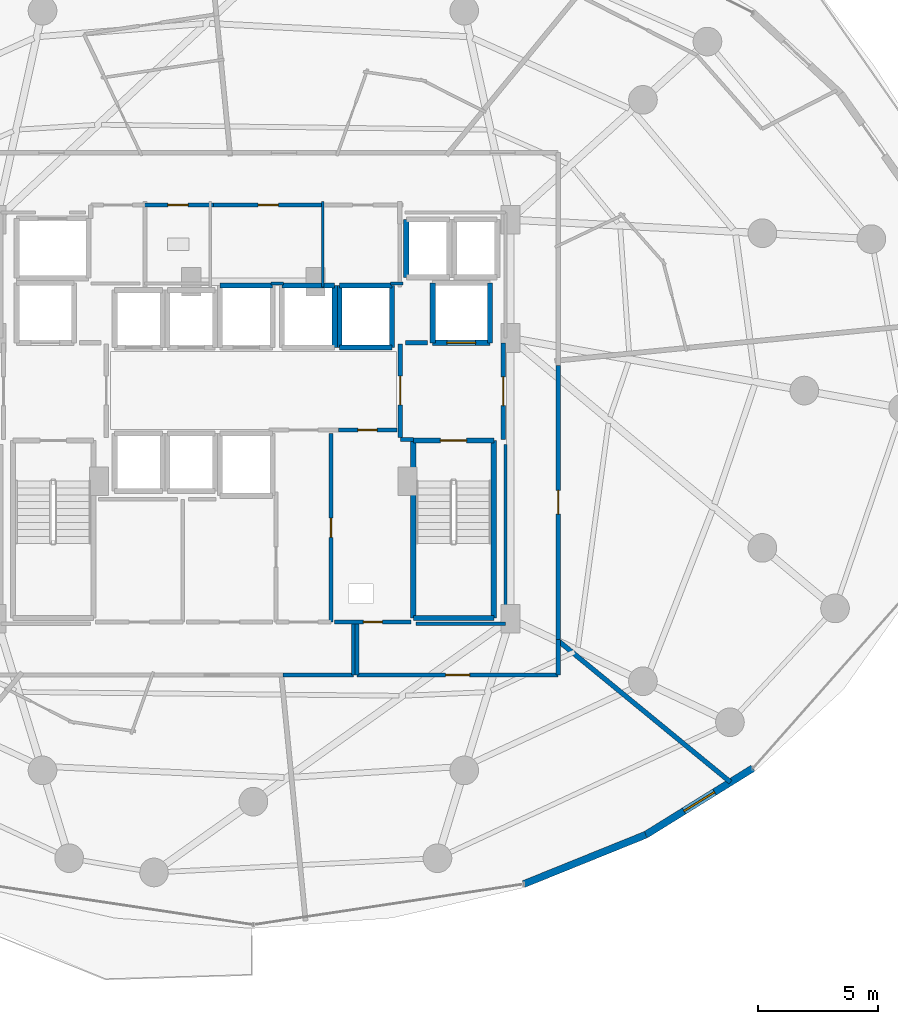
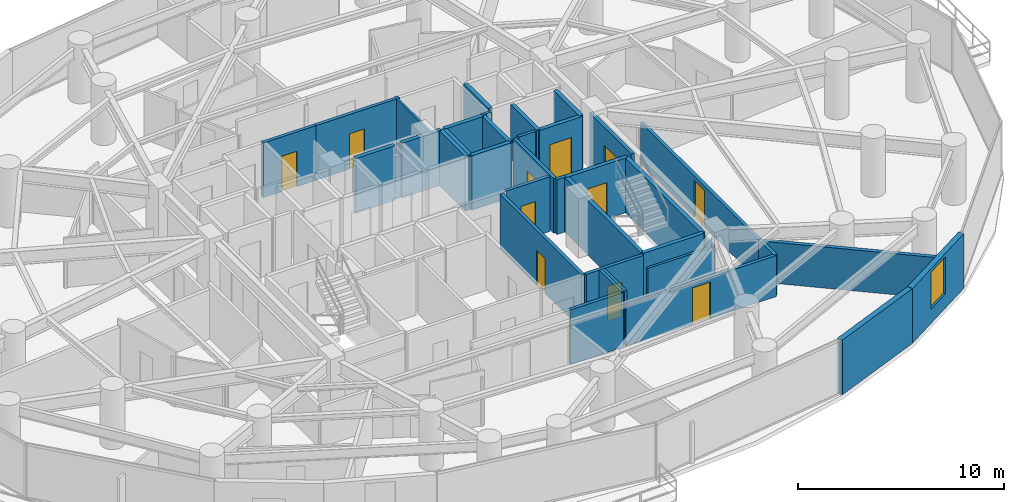
# One storey, part 25 of 30: 38 walls, 11 doors, 1 window, 12 openings.
"""IFC4 building model written with IfcOpenShell, lengths in metres."""

from ifc_helpers import new_model, si_unit, direction, frame, frame_2d, origin, place, context, subcontext, project, spatial, rectangle, extrude, material, layer, layer_set, type_object, element, fill, save


model = new_model("IFC4")

# Units and contexts
model_context = context("Model", 3, precision=1e-05, world=origin(), true_north=direction((0.0, 1.0)))
body_context = subcontext(model_context, "Body", "Model", "MODEL_VIEW")
ifc_project = project(units=[si_unit("LENGTHUNIT", "METRE"), si_unit("AREAUNIT", "SQUARE_METRE"), si_unit("VOLUMEUNIT", "CUBIC_METRE"), si_unit("PLANEANGLEUNIT", "RADIAN"), si_unit("MASSUNIT", "GRAM", prefix="KILO")], contexts=[model_context])

# Site, building, storey
site_placement = place(None, origin())
site = spatial("IfcSite", under=ifc_project, at=site_placement, CompositionType="ELEMENT")
building_placement = place(site_placement, origin())
building = spatial("IfcBuilding", under=site, at=building_placement, Name="Vorneva Point Tower", CompositionType="ELEMENT")
storey_placement = place(building_placement, frame((0.0, 0.0, 55.5)))
storey = spatial("IfcBuildingStorey", under=building, at=storey_placement, Name="L14", CompositionType="ELEMENT", Elevation=55.5)

# Wall, opening, door
ifc_material_1 = material(Name="Concrete B60 (C50/60)", Category="concrete")
ifc_layer_1 = layer(ifc_material_1, 0.5)
ifc_layer_set_1 = layer_set([ifc_layer_1], Name="Concrete B60 (C50/60)")
wall_type_1 = type_object("IfcWallType", Name="WL-CORE-500", PredefinedType="SHEAR", material=ifc_layer_set_1)
wall_1_placement = place(storey_placement, frame((45.5, 28.0, 0.0), z_axis=(0.0, 0.0, 1.0), x_axis=(1.0, 0.0, 0.0)))
wall_1 = element("IfcWall", 1, at=wall_1_placement, inside=storey, type_object=wall_type_1, Name="L14 Lift FFL2 Shaft Wall -Y", PredefinedType="SHEAR", context=body_context, shape_type="SweptSolid", body=[
    extrude(rectangle(XDim=2.39990234375, YDim=0.219970703125, at=frame_2d((1.199951171875, 0.0))), origin(), (0.0, 0.0, 1.0), 3.239990234375),
])
opening_1_placement = place(wall_1_placement, frame((0.60009765625, 0.0, 0.0)))
opening_1 = element("IfcOpeningElement", 2, at=opening_1_placement, cuts=wall_1, Name="Opening LD-02", PredefinedType="OPENING", context=body_context, shape_type="SweptSolid", body=[
    extrude(rectangle(XDim=1.199951171875, YDim=2.199951171875, at=frame_2d((0.60009765625, 1.10009765625))), frame((0.0, 0.125, 0.0), z_axis=(0.0, -1.0, 0.0), x_axis=(1.0, 0.0, 0.0)), (0.0, 0.0, 1.0), 0.249755859375),
])
ifc_material_2 = material(Name="Brushed stainless steel S304", Category="steel")
door_type_1 = type_object("IfcDoorType", Name="LD-FIRE-1200", OperationType="SLIDING_TO_LEFT", PredefinedType="DOOR", material=ifc_material_2)
door_1_placement = place(opening_1_placement, origin())
door_1 = element("IfcDoor", 3, at=door_1_placement, inside=storey, type_object=door_type_1, Name="L14 Lift FFL2 Sliding Landing Door", OperationType="SLIDING_TO_LEFT", OverallHeight=2.199951171875, OverallWidth=1.199951171875, PredefinedType="DOOR", context=body_context, shape_type="SweptSolid", body=[
    extrude(rectangle(XDim=1.199951171875, YDim=2.199951171875, at=frame_2d((0.60009765625, 1.10009765625))), frame((0.0, 0.02490234375, 0.0), z_axis=(0.0, -1.0, 0.0), x_axis=(1.0, 0.0, 0.0)), (0.0, 0.0, 1.0), 0.050048828125),
])
fill(opening_1, door_1)

# Walls
for number, where, z_axis, x_axis, name in (
    (4, (47.89990234375, 28.0, 0.0), (0.0, 0.0, 1.0), (0.0, 1.0, 0.0), "L14 Lift FFL2 Shaft Wall +X"),
    (5, (45.5, 30.5, 0.0), (0.0, 0.0, 1.0), (0.0, -1.0, 0.0), "L14 Lift FFL2 Shaft Wall -X"),
):
    element("IfcWall", number, at=place(storey_placement, frame(where, z_axis=z_axis, x_axis=x_axis)), inside=storey, type_object=wall_type_1, Name=name, PredefinedType="SHEAR", context=body_context, shape_type="SweptSolid", body=[
        extrude(rectangle(XDim=2.5, YDim=0.219970703125, at=frame_2d((1.25, 0.0))), origin(), (0.0, 0.0, 1.0), 3.239990234375),
    ])
ifc_material_3 = material(Name="Precast concrete B50 (C40/50)", Category="concrete")
ifc_layer_2 = layer(ifc_material_3, 0.300048828125)
ifc_layer_set_2 = layer_set([ifc_layer_2], Name="Precast concrete B50 (C40/50)")
wall_type_2 = type_object("IfcWallType", Name="WL-EXT-300", PredefinedType="STANDARD", material=ifc_layer_set_2)
wall_2_placement = place(storey_placement, frame((49.308349609375, 5.351318359375, 0.0), z_axis=(0.0, 0.0, 1.0), x_axis=(0.927095325176, 0.374825636845, 0.0)))
element("IfcWall", 6, at=wall_2_placement, inside=storey, type_object=wall_type_2, Name="L14 Pale-Metal Facade Spandrel Wall 14.1", PredefinedType="STANDARD", context=body_context, shape_type="SweptSolid", body=[
    extrude(rectangle(XDim=5.51025390625, YDim=0.300048828125, at=frame_2d((2.755126953125, 0.0))), origin(), (0.0, 0.0, 1.0), 3.239990234375),
])

# Wall, opening, window
wall_3_placement = place(storey_placement, frame((54.4169921875, 7.416748046875, 0.0), z_axis=(0.0, 0.0, 1.0), x_axis=(0.849633724826, 0.527373239404, 0.0)))
wall_3 = element("IfcWall", 7, at=wall_3_placement, inside=storey, type_object=wall_type_2, Name="L14 Pale-Metal Facade Spandrel Wall 14.2", PredefinedType="STANDARD", context=body_context, shape_type="SweptSolid", body=[
    extrude(rectangle(XDim=5.2705078125, YDim=0.300048828125, at=frame_2d((2.63525390625, 0.0))), origin(), (0.0, 0.0, 1.0), 3.239990234375),
])
opening_2_placement = place(wall_3_placement, frame((1.88525390625, 0.0, 0.85009765625)))
opening_2 = element("IfcOpeningElement", 8, at=opening_2_placement, cuts=wall_3, Name="Opening W-02", PredefinedType="OPENING", context=body_context, shape_type="SweptSolid", body=[
    extrude(rectangle(XDim=1.5, YDim=2.18994140625, at=frame_2d((0.75, 1.094970703125))), frame((0.0, 0.1650390625, 0.0), z_axis=(0.0, -1.0, 0.0), x_axis=(1.0, 0.0, 0.0)), (0.0, 0.0, 1.0), 0.329833984375),
])
ifc_material_4 = material(Name="Double low-e laminated glass IGU", Category="glass")
window_type = type_object("IfcWindowType", Name="WN-HTL-1500", PartitioningType="SINGLE_PANEL", PredefinedType="WINDOW", material=ifc_material_4)
window_placement = place(opening_2_placement, origin())
window = element("IfcWindow", 9, at=window_placement, inside=storey, type_object=window_type, Name="L14 Facade Window 14", OverallHeight=2.18994140625, OverallWidth=1.5, PartitioningType="SINGLE_PANEL", PredefinedType="WINDOW", context=body_context, shape_type="SweptSolid", body=[
    extrude(rectangle(XDim=1.5, YDim=2.18994140625, at=frame_2d((0.75, 1.094970703125))), frame((0.0, 0.030029296875, 0.0), z_axis=(0.0, -1.0, 0.0), x_axis=(1.0, 0.0, 0.0)), (0.0, 0.0, 1.0), 0.06005859375),
])
fill(opening_2, window)

# Walls
ifc_material_5 = material(Name="Fire-rated acoustic gypsum stud partition", Category="gypsum")
ifc_layer_3 = layer(ifc_material_5, 0.110107421875)
ifc_layer_set_3 = layer_set([ifc_layer_3], Name="Fire-rated acoustic gypsum stud partition")
wall_type_3 = type_object("IfcWallType", Name="WL-PART-110", PredefinedType="PARTITIONING", material=ifc_layer_set_3)
wall_4_placement = place(storey_placement, frame((40.89990234375, 30.340087890625, 0.0), z_axis=(0.0, 0.0, 1.0), x_axis=(0.0, 1.0, 0.0)))
element("IfcWall", 10, at=wall_4_placement, inside=storey, type_object=wall_type_3, Name="L14 Interior Partition 017", PredefinedType="PARTITIONING", context=body_context, shape_type="SweptSolid", body=[
    extrude(rectangle(XDim=3.559814453125, YDim=0.110107421875, at=frame_2d((1.77978515625, 0.0))), origin(), (0.0, 0.0, 1.0), 3.239990234375),
])
ifc_layer_4 = layer(ifc_material_5, 0.139892578125)
ifc_layer_set_4 = layer_set([ifc_layer_4], Name="Fire-rated acoustic gypsum stud partition")
wall_type_4 = type_object("IfcWallType", Name="WL-PART-140", PredefinedType="PARTITIONING", material=ifc_layer_set_4)
wall_5_placement = place(storey_placement, frame((38.735107421875, 30.47998046875, 0.0), z_axis=(0.0, 0.0, 1.0), x_axis=(1.0, 0.0, 0.0)))
element("IfcWall", 11, at=wall_5_placement, inside=storey, type_object=wall_type_4, Name="L14 Interior Closure Partition 099", PredefinedType="PARTITIONING", context=body_context, shape_type="SweptSolid", body=[
    extrude(rectangle(XDim=0.52978515625, YDim=0.139892578125, at=frame_2d((0.264892578125, 0.0))), origin(), (0.0, 0.0, 1.0), 2.431884765625),
])
wall_6_placement = place(storey_placement, frame((43.735107421875, 30.47998046875, 0.0), z_axis=(0.0, 0.0, 1.0), x_axis=(1.0, 0.0, 0.0)))
element("IfcWall", 12, at=wall_6_placement, inside=storey, type_object=wall_type_4, Name="L14 Interior Closure Partition 100", PredefinedType="PARTITIONING", context=body_context, shape_type="SweptSolid", body=[
    extrude(rectangle(XDim=0.52490234375, YDim=0.139892578125, at=frame_2d((0.262451171875, 0.0))), origin(), (0.0, 0.0, 1.0), 3.239990234375),
])
wall_7_placement = place(storey_placement, frame((48.550048828125, 23.75390625, 0.0), z_axis=(0.0, 0.0, 1.0), x_axis=(0.0, -1.0, 0.0)))
element("IfcWall", 13, at=wall_7_placement, inside=storey, type_object=wall_type_4, Name="L14 Interior Closure Partition 106", PredefinedType="PARTITIONING", context=body_context, shape_type="SweptSolid", body=[
    extrude(rectangle(XDim=7.513916015625, YDim=0.139892578125, at=frame_2d((3.7568359375, 0.0))), origin(), (0.0, 0.0, 1.0), 2.431884765625),
])
wall_8_placement = place(storey_placement, frame((48.550048828125, 16.239990234375, 0.0), z_axis=(0.0, 0.0, 1.0), x_axis=(-1.0, 0.0, 0.0)))
element("IfcWall", 14, at=wall_8_placement, inside=storey, type_object=wall_type_4, Name="L14 Interior Closure Partition 107", PredefinedType="PARTITIONING", context=body_context, shape_type="SweptSolid", body=[
    extrude(rectangle(XDim=3.7451171875, YDim=0.139892578125, at=frame_2d((1.87255859375, 0.0))), origin(), (0.0, 0.0, 1.0), 2.431884765625),
])

# Wall, opening, door
ifc_material_6 = material(Name="Autoclaved aerated concrete blockwork", Category="masonry")
ifc_layer_5 = layer(ifc_material_6, 0.179931640625)
ifc_layer_set_5 = layer_set([ifc_layer_5], Name="Autoclaved aerated concrete blockwork")
wall_type_5 = type_object("IfcWallType", Name="WL-PART-180", PredefinedType="PARTITIONING", material=ifc_layer_set_5)
wall_9_placement = place(storey_placement, frame((44.14990234375, 27.955078125, 0.0), z_axis=(0.0, 0.0, 1.0), x_axis=(0.0, -1.0, 0.0)))
wall_9 = element("IfcWall", 15, at=wall_9_placement, inside=storey, type_object=wall_type_5, Name="L14 Interior Partition 003", PredefinedType="PARTITIONING", context=body_context, shape_type="SweptSolid", body=[
    extrude(rectangle(XDim=3.91015625, YDim=0.179931640625, at=frame_2d((1.955078125, 0.0))), origin(), (0.0, 0.0, 1.0), 3.239990234375),
])
opening_3_placement = place(wall_9_placement, frame((1.35498046875, 0.0, 0.0)))
opening_3 = element("IfcOpeningElement", 16, at=opening_3_placement, cuts=wall_9, Name="Opening FD-02", PredefinedType="OPENING", context=body_context, shape_type="SweptSolid", body=[
    extrude(rectangle(XDim=1.199951171875, YDim=2.14990234375, at=frame_2d((0.60009765625, 1.074951171875))), frame((0.0, 0.10498046875, 0.0), z_axis=(0.0, -1.0, 0.0), x_axis=(1.0, 0.0, 0.0)), (0.0, 0.0, 1.0), 0.209716796875),
])
ifc_material_7 = material(Name="Fire-rated powder-coated steel", Category="steel")
door_type_2 = type_object("IfcDoorType", Name="DR-FFL-1200", OperationType="NOTDEFINED", PredefinedType="DOOR", material=ifc_material_7)
door_2_placement = place(opening_3_placement, origin())
door_2 = element("IfcDoor", 17, at=door_2_placement, inside=storey, type_object=door_type_2, Name="L14 Door East Firefighting Lobby / Central Lift Lobby", OperationType="SINGLE_SWING_RIGHT", OverallHeight=2.14990234375, OverallWidth=1.199951171875, PredefinedType="DOOR", context=body_context, shape_type="SweptSolid", body=[
    extrude(rectangle(XDim=1.199951171875, YDim=2.14990234375, at=frame_2d((0.60009765625, 1.074951171875))), frame((0.0, 0.02490234375, 0.0), z_axis=(0.0, -1.0, 0.0), x_axis=(1.0, 0.0, 0.0)), (0.0, 0.0, 1.0), 0.050048828125),
])
fill(opening_3, door_2)

# Wall
wall_10_placement = place(storey_placement, frame((44.14990234375, 23.949951171875, 0.0), z_axis=(0.0, 0.0, 1.0), x_axis=(1.0, 0.0, 0.0)))
element("IfcWall", 18, at=wall_10_placement, inside=storey, type_object=wall_type_5, Name="L14 Interior Partition 004", PredefinedType="PARTITIONING", context=body_context, shape_type="SweptSolid", body=[
    extrude(rectangle(XDim=0.5400390625, YDim=0.179931640625, at=frame_2d((0.27001953125, 0.0))), origin(), (0.0, 0.0, 1.0), 3.239990234375),
])

# Wall, opening, door
wall_11_placement = place(storey_placement, frame((48.449951171875, 23.949951171875, 0.0), z_axis=(0.0, 0.0, 1.0), x_axis=(0.0, 1.0, 0.0)))
wall_11 = element("IfcWall", 19, at=wall_11_placement, inside=storey, type_object=wall_type_5, Name="L14 Interior Partition 005", PredefinedType="PARTITIONING", context=body_context, shape_type="SweptSolid", body=[
    extrude(rectangle(XDim=4.050048828125, YDim=0.179931640625, at=frame_2d((2.02490234375, 0.0))), origin(), (0.0, 0.0, 1.0), 3.239990234375),
])
opening_4_placement = place(wall_11_placement, frame((1.425048828125, 0.0, 0.0)))
opening_4 = element("IfcOpeningElement", 20, at=opening_4_placement, cuts=wall_11, Name="Opening FD-02", PredefinedType="OPENING", context=body_context, shape_type="SweptSolid", body=[
    extrude(rectangle(XDim=1.199951171875, YDim=2.14990234375, at=frame_2d((0.60009765625, 1.074951171875))), frame((0.0, 0.10498046875, 0.0), z_axis=(0.0, -1.0, 0.0), x_axis=(1.0, 0.0, 0.0)), (0.0, 0.0, 1.0), 0.209716796875),
])
door_3_placement = place(opening_4_placement, origin())
door_3 = element("IfcDoor", 21, at=door_3_placement, inside=storey, type_object=door_type_2, Name="L14 Door East Firefighting Lobby / L14 Circulation Corridor", OperationType="SINGLE_SWING_LEFT", OverallHeight=2.14990234375, OverallWidth=1.199951171875, PredefinedType="DOOR", context=body_context, shape_type="SweptSolid", body=[
    extrude(rectangle(XDim=1.199951171875, YDim=2.14990234375, at=frame_2d((0.60009765625, 1.074951171875))), frame((0.0, 0.02490234375, 0.0), z_axis=(0.0, -1.0, 0.0), x_axis=(1.0, 0.0, 0.0)), (0.0, 0.0, 1.0), 0.050048828125),
])
fill(opening_4, door_3)

wall_12_placement = place(storey_placement, frame((41.554931640625, 24.35009765625, 0.0), z_axis=(0.0, 0.0, 1.0), x_axis=(1.0, 0.0, 0.0)))
wall_12 = element("IfcWall", 22, at=wall_12_placement, inside=storey, type_object=wall_type_5, Name="L14 Interior Partition 010", PredefinedType="PARTITIONING", context=body_context, shape_type="SweptSolid", body=[
    extrude(rectangle(XDim=2.445068359375, YDim=0.179931640625, at=frame_2d((1.22265625, 0.0))), origin(), (0.0, 0.0, 1.0), 3.239990234375),
])
opening_5_placement = place(wall_12_placement, frame((0.822509765625, 0.0, 0.0)))
opening_5 = element("IfcOpeningElement", 23, at=opening_5_placement, cuts=wall_12, Name="Opening RD-01", PredefinedType="OPENING", context=body_context, shape_type="SweptSolid", body=[
    extrude(rectangle(XDim=0.800048828125, YDim=2.050048828125, at=frame_2d((0.39990234375, 1.02490234375))), frame((0.0, 0.10498046875, 0.0), z_axis=(0.0, -1.0, 0.0), x_axis=(1.0, 0.0, 0.0)), (0.0, 0.0, 1.0), 0.209716796875),
])
door_type_3 = type_object("IfcDoorType", Name="DR-RSR-800", OperationType="SINGLE_SWING_LEFT", PredefinedType="DOOR", material=ifc_material_7)
door_4_placement = place(opening_5_placement, origin())
door_4 = element("IfcDoor", 24, at=door_4_placement, inside=storey, type_object=door_type_3, Name="L14 Door Central Lift Lobby / Electrical Riser", OperationType="SINGLE_SWING_RIGHT", OverallHeight=2.050048828125, OverallWidth=0.800048828125, PredefinedType="DOOR", context=body_context, shape_type="SweptSolid", body=[
    extrude(rectangle(XDim=0.800048828125, YDim=2.050048828125, at=frame_2d((0.39990234375, 1.02490234375))), frame((0.0, 0.02490234375, 0.0), z_axis=(0.0, -1.0, 0.0), x_axis=(1.0, 0.0, 0.0)), (0.0, 0.0, 1.0), 0.050048828125),
])
fill(opening_5, door_4)

wall_13_placement = place(storey_placement, frame((41.25, 16.320068359375, 0.0), z_axis=(0.0, 0.0, 1.0), x_axis=(0.0, 1.0, 0.0)))
wall_13 = element("IfcWall", 25, at=wall_13_placement, inside=storey, type_object=wall_type_5, Name="L14 Interior Partition 011", PredefinedType="PARTITIONING", context=body_context, shape_type="SweptSolid", body=[
    extrude(rectangle(XDim=7.8798828125, YDim=0.179931640625, at=frame_2d((3.93994140625, 0.0))), origin(), (0.0, 0.0, 1.0), 3.239990234375),
])
opening_6_placement = place(wall_13_placement, frame((3.5400390625, 0.0, 0.0)))
opening_6 = element("IfcOpeningElement", 26, at=opening_6_placement, cuts=wall_13, Name="Opening RD-01", PredefinedType="OPENING", context=body_context, shape_type="SweptSolid", body=[
    extrude(rectangle(XDim=0.800048828125, YDim=2.050048828125, at=frame_2d((0.39990234375, 1.02490234375))), frame((0.0, 0.10498046875, 0.0), z_axis=(0.0, -1.0, 0.0), x_axis=(1.0, 0.0, 0.0)), (0.0, 0.0, 1.0), 0.209716796875),
])
door_5_placement = place(opening_6_placement, origin())
door_5 = element("IfcDoor", 27, at=door_5_placement, inside=storey, type_object=door_type_3, Name="L14 Door Core Service Lobby / Electrical Riser", OperationType="SINGLE_SWING_LEFT", OverallHeight=2.050048828125, OverallWidth=0.800048828125, PredefinedType="DOOR", context=body_context, shape_type="SweptSolid", body=[
    extrude(rectangle(XDim=0.800048828125, YDim=2.050048828125, at=frame_2d((0.39990234375, 1.02490234375))), frame((0.0, 0.02490234375, 0.0), z_axis=(0.0, -1.0, 0.0), x_axis=(1.0, 0.0, 0.0)), (0.0, 0.0, 1.0), 0.050048828125),
])
fill(opening_6, door_5)

wall_14_placement = place(storey_placement, frame((41.39990234375, 16.320068359375, 0.0), z_axis=(0.0, 0.0, 1.0), x_axis=(1.0, 0.0, 0.0)))
wall_14 = element("IfcWall", 28, at=wall_14_placement, inside=storey, type_object=wall_type_5, Name="L14 Interior Partition 014", PredefinedType="PARTITIONING", context=body_context, shape_type="SweptSolid", body=[
    extrude(rectangle(XDim=3.2001953125, YDim=0.179931640625, at=frame_2d((1.60009765625, 0.0))), origin(), (0.0, 0.0, 1.0), 3.239990234375),
])
opening_7_placement = place(wall_14_placement, frame((1.199951171875, 0.0, 0.0)))
opening_7 = element("IfcOpeningElement", 29, at=opening_7_placement, cuts=wall_14, Name="Opening RD-01", PredefinedType="OPENING", context=body_context, shape_type="SweptSolid", body=[
    extrude(rectangle(XDim=0.800048828125, YDim=2.050048828125, at=frame_2d((0.39990234375, 1.02490234375))), frame((0.0, 0.10498046875, 0.0), z_axis=(0.0, -1.0, 0.0), x_axis=(1.0, 0.0, 0.0)), (0.0, 0.0, 1.0), 0.209716796875),
])
door_6_placement = place(opening_7_placement, origin())
door_6 = element("IfcDoor", 30, at=door_6_placement, inside=storey, type_object=door_type_3, Name="L14 Door Electrical Riser / L14 Circulation Corridor", OperationType="SINGLE_SWING_RIGHT", OverallHeight=2.050048828125, OverallWidth=0.800048828125, PredefinedType="DOOR", context=body_context, shape_type="SweptSolid", body=[
    extrude(rectangle(XDim=0.800048828125, YDim=2.050048828125, at=frame_2d((0.39990234375, 1.02490234375))), frame((0.0, 0.02490234375, 0.0), z_axis=(0.0, -1.0, 0.0), x_axis=(1.0, 0.0, 0.0)), (0.0, 0.0, 1.0), 0.050048828125),
])
fill(opening_7, door_6)

wall_15_placement = place(storey_placement, frame((36.340087890625, 33.760009765625, 0.0), z_axis=(0.0, 0.0, 1.0), x_axis=(-1.0, 0.0, 0.0)))
wall_15 = element("IfcWall", 31, at=wall_15_placement, inside=storey, type_object=wall_type_5, Name="L14 Interior Partition 016", PredefinedType="PARTITIONING", context=body_context, shape_type="SweptSolid", body=[
    extrude(rectangle(XDim=2.97998046875, YDim=0.179931640625, at=frame_2d((1.489990234375, 0.0))), origin(), (0.0, 0.0, 1.0), 3.239990234375),
])
opening_8_placement = place(wall_15_placement, frame((1.06494140625, 0.0, 0.0)))
opening_8 = element("IfcOpeningElement", 32, at=opening_8_placement, cuts=wall_15, Name="Opening ID-02", PredefinedType="OPENING", context=body_context, shape_type="SweptSolid", body=[
    extrude(rectangle(XDim=0.85009765625, YDim=2.10009765625, at=frame_2d((0.425048828125, 1.050048828125))), frame((0.0, 0.10498046875, 0.0), z_axis=(0.0, -1.0, 0.0), x_axis=(1.0, 0.0, 0.0)), (0.0, 0.0, 1.0), 0.209716796875),
])
ifc_material_8 = material(Name="Engineered oak fire-rated door leaf", Category="wood")
door_type_4 = type_object("IfcDoorType", Name="DR-BATH-850", OperationType="NOTDEFINED", PredefinedType="DOOR", material=ifc_material_8)
door_7_placement = place(opening_8_placement, origin())
door_7 = element("IfcDoor", 33, at=door_7_placement, inside=storey, type_object=door_type_4, Name="L14 Door Public Male WC / L14 Circulation Corridor", OperationType="SINGLE_SWING_LEFT", OverallHeight=2.10009765625, OverallWidth=0.85009765625, PredefinedType="DOOR", context=body_context, shape_type="SweptSolid", body=[
    extrude(rectangle(XDim=0.85009765625, YDim=2.10009765625, at=frame_2d((0.425048828125, 1.050048828125))), frame((0.0, 0.02490234375, 0.0), z_axis=(0.0, -1.0, 0.0), x_axis=(1.0, 0.0, 0.0)), (0.0, 0.0, 1.0), 0.050048828125),
])
fill(opening_8, door_7)

wall_16_placement = place(storey_placement, frame((41.0400390625, 33.760009765625, 0.0), z_axis=(0.0, 0.0, 1.0), x_axis=(-1.0, 0.0, 0.0)))
wall_16 = element("IfcWall", 34, at=wall_16_placement, inside=storey, type_object=wall_type_5, Name="L14 Interior Partition 018", PredefinedType="PARTITIONING", context=body_context, shape_type="SweptSolid", body=[
    extrude(rectangle(XDim=4.840087890625, YDim=0.179931640625, at=frame_2d((2.419921875, 0.0))), origin(), (0.0, 0.0, 1.0), 3.239990234375),
])
opening_9_placement = place(wall_16_placement, frame((1.9951171875, 0.0, 0.0)))
opening_9 = element("IfcOpeningElement", 35, at=opening_9_placement, cuts=wall_16, Name="Opening ID-02", PredefinedType="OPENING", context=body_context, shape_type="SweptSolid", body=[
    extrude(rectangle(XDim=0.85009765625, YDim=2.10009765625, at=frame_2d((0.425048828125, 1.050048828125))), frame((0.0, 0.10498046875, 0.0), z_axis=(0.0, -1.0, 0.0), x_axis=(1.0, 0.0, 0.0)), (0.0, 0.0, 1.0), 0.209716796875),
])
door_8_placement = place(opening_9_placement, origin())
door_8 = element("IfcDoor", 36, at=door_8_placement, inside=storey, type_object=door_type_4, Name="L14 Door Public Female WC / L14 Circulation Corridor", OperationType="SINGLE_SWING_RIGHT", OverallHeight=2.10009765625, OverallWidth=0.85009765625, PredefinedType="DOOR", context=body_context, shape_type="SweptSolid", body=[
    extrude(rectangle(XDim=0.85009765625, YDim=2.10009765625, at=frame_2d((0.425048828125, 1.050048828125))), frame((0.0, 0.02490234375, 0.0), z_axis=(0.0, -1.0, 0.0), x_axis=(1.0, 0.0, 0.0)), (0.0, 0.0, 1.0), 0.050048828125),
])
fill(opening_9, door_8)

# Wall
wall_17_placement = place(storey_placement, frame((42.340087890625, 16.239990234375, 0.0), z_axis=(0.0, 0.0, 1.0), x_axis=(0.0, -1.0, 0.0)))
element("IfcWall", 37, at=wall_17_placement, inside=storey, type_object=wall_type_5, Name="L14 Interior Partition 039", PredefinedType="PARTITIONING", context=body_context, shape_type="SweptSolid", body=[
    extrude(rectangle(XDim=2.139892578125, YDim=0.179931640625, at=frame_2d((1.06982421875, 0.0))), origin(), (0.0, 0.0, 1.0), 3.239990234375),
])

# Wall, opening, door
wall_18_placement = place(storey_placement, frame((42.340087890625, 14.10009765625, 0.0), z_axis=(0.0, 0.0, 1.0), x_axis=(1.0, 0.0, 0.0)))
wall_18 = element("IfcWall", 38, at=wall_18_placement, inside=storey, type_object=wall_type_5, Name="L14 Interior Partition 040", PredefinedType="PARTITIONING", context=body_context, shape_type="SweptSolid", body=[
    extrude(rectangle(XDim=8.409912109375, YDim=0.179931640625, at=frame_2d((4.205078125, 0.0))), origin(), (0.0, 0.0, 1.0), 2.431884765625),
])
opening_10_placement = place(wall_18_placement, frame((3.705078125, 0.0, 0.0)))
opening_10 = element("IfcOpeningElement", 39, at=opening_10_placement, cuts=wall_18, Name="Opening UD-01", PredefinedType="OPENING", context=body_context, shape_type="SweptSolid", body=[
    extrude(rectangle(XDim=1.0, YDim=2.14990234375, at=frame_2d((0.5, 1.074951171875))), frame((0.0, 0.10498046875, 0.0), z_axis=(0.0, -1.0, 0.0), x_axis=(1.0, 0.0, 0.0)), (0.0, 0.0, 1.0), 0.209716796875),
])
door_type_5 = type_object("IfcDoorType", Name="DR-UNIT-1000", OperationType="NOTDEFINED", PredefinedType="DOOR", material=ifc_material_8)
door_9_placement = place(opening_10_placement, origin())
door_9 = element("IfcDoor", 40, at=door_9_placement, inside=storey, type_object=door_type_5, Name="L14 Door L14 Circulation Corridor / Hotel Club Lounge L14-07", OperationType="SINGLE_SWING_RIGHT", OverallHeight=2.14990234375, OverallWidth=1.0, PredefinedType="DOOR", context=body_context, shape_type="SweptSolid", body=[
    extrude(rectangle(XDim=1.0, YDim=2.14990234375, at=frame_2d((0.5, 1.074951171875))), frame((0.0, 0.02490234375, 0.0), z_axis=(0.0, -1.0, 0.0), x_axis=(1.0, 0.0, 0.0)), (0.0, 0.0, 1.0), 0.050048828125),
])
fill(opening_10, door_9)

# Walls
wall_19_placement = place(storey_placement, frame((50.75, 14.10009765625, 0.0), z_axis=(0.0, 0.0, 1.0), x_axis=(0.0, 1.0, 0.0)))
element("IfcWall", 41, at=wall_19_placement, inside=storey, type_object=wall_type_5, Name="L14 Interior Partition 041", PredefinedType="PARTITIONING", context=body_context, shape_type="SweptSolid", body=[
    extrude(rectangle(XDim=1.495849609375, YDim=0.179931640625, at=frame_2d((0.748046875, 0.0))), origin(), (0.0, 0.0, 1.0), 2.431884765625),
])
wall_20_placement = place(storey_placement, frame((39.23193359375, 14.10009765625, 0.0), z_axis=(0.0, 0.0, 1.0), x_axis=(1.0, 0.0, 0.0)))
element("IfcWall", 42, at=wall_20_placement, inside=storey, type_object=wall_type_5, Name="L14 Interior Partition 042", PredefinedType="PARTITIONING", context=body_context, shape_type="SweptSolid", body=[
    extrude(rectangle(XDim=2.968017578125, YDim=0.179931640625, at=frame_2d((1.48388671875, 0.0))), origin(), (0.0, 0.0, 1.0), 3.239990234375),
])
wall_21_placement = place(storey_placement, frame((42.199951171875, 14.10009765625, 0.0), z_axis=(0.0, 0.0, 1.0), x_axis=(0.0, 1.0, 0.0)))
element("IfcWall", 43, at=wall_21_placement, inside=storey, type_object=wall_type_5, Name="L14 Interior Partition 043", PredefinedType="PARTITIONING", context=body_context, shape_type="SweptSolid", body=[
    extrude(rectangle(XDim=2.139892578125, YDim=0.179931640625, at=frame_2d((1.06982421875, 0.0))), origin(), (0.0, 0.0, 1.0), 3.239990234375),
])

# Wall, opening, door
wall_22_placement = place(storey_placement, frame((50.75, 15.595947265625, 0.0), z_axis=(0.0, 0.0, 1.0), x_axis=(0.0, 1.0, 0.0)))
wall_22 = element("IfcWall", 44, at=wall_22_placement, inside=storey, type_object=wall_type_5, Name="L14 Interior Partition 044", PredefinedType="PARTITIONING", context=body_context, shape_type="SweptSolid", body=[
    extrude(rectangle(XDim=11.4599609375, YDim=0.179931640625, at=frame_2d((5.72998046875, 0.0))), origin(), (0.0, 0.0, 1.0), 2.431884765625),
])
opening_11_placement = place(wall_22_placement, frame((5.22998046875, 0.0, 0.0)))
opening_11 = element("IfcOpeningElement", 45, at=opening_11_placement, cuts=wall_22, Name="Opening UD-01", PredefinedType="OPENING", context=body_context, shape_type="SweptSolid", body=[
    extrude(rectangle(XDim=1.0, YDim=2.14990234375, at=frame_2d((0.5, 1.074951171875))), frame((0.0, 0.10498046875, 0.0), z_axis=(0.0, -1.0, 0.0), x_axis=(1.0, 0.0, 0.0)), (0.0, 0.0, 1.0), 0.209716796875),
])
door_10_placement = place(opening_11_placement, origin())
door_10 = element("IfcDoor", 46, at=door_10_placement, inside=storey, type_object=door_type_5, Name="L14 Door L14 Circulation Corridor / Executive Meeting Room L14-08", OperationType="SINGLE_SWING_LEFT", OverallHeight=2.14990234375, OverallWidth=1.0, PredefinedType="DOOR", context=body_context, shape_type="SweptSolid", body=[
    extrude(rectangle(XDim=1.0, YDim=2.14990234375, at=frame_2d((0.5, 1.074951171875))), frame((0.0, 0.02490234375, 0.0), z_axis=(0.0, -1.0, 0.0), x_axis=(1.0, 0.0, 0.0)), (0.0, 0.0, 1.0), 0.050048828125),
])
fill(opening_11, door_10)

# Walls
wall_23_placement = place(storey_placement, frame((45.280029296875, 28.0, 0.0), z_axis=(0.0, 0.0, 1.0), x_axis=(-1.0, 0.0, 0.0)))
element("IfcWall", 47, at=wall_23_placement, inside=storey, type_object=wall_type_5, Name="L14 Interior Closure Partition 096", PredefinedType="PARTITIONING", context=body_context, shape_type="SweptSolid", body=[
    extrude(rectangle(XDim=0.9150390625, YDim=0.179931640625, at=frame_2d((0.45751953125, 0.0))), origin(), (0.0, 0.0, 1.0), 3.239990234375),
])
ifc_layer_6 = layer(ifc_material_6, 0.199951171875)
ifc_layer_set_6 = layer_set([ifc_layer_6], Name="Autoclaved aerated concrete blockwork")
wall_type_6 = type_object("IfcWallType", Name="WL-PART-200", PredefinedType="PARTITIONING", material=ifc_layer_set_6)
wall_24_placement = place(storey_placement, frame((57.9599609375, 9.618896484375, 0.0), z_axis=(0.0, 0.0, 1.0), x_axis=(-0.773014125172, 0.634388810025, 0.0)))
element("IfcWall", 48, at=wall_24_placement, inside=storey, type_object=wall_type_6, Name="L14 Interior Partition 094", PredefinedType="PARTITIONING", context=body_context, shape_type="SweptSolid", body=[
    extrude(rectangle(XDim=9.3271484375, YDim=0.199951171875, at=frame_2d((4.66357421875, 0.0))), origin(), (0.0, 0.0, 1.0), 2.431884765625),
])

# Wall, opening, door
ifc_material_9 = material(Name="Concrete B50 (C40/50)", Category="concrete")
ifc_layer_7 = layer(ifc_material_9, 0.219970703125)
ifc_layer_set_7 = layer_set([ifc_layer_7], Name="Concrete B50 (C40/50)")
wall_type_7 = type_object("IfcWallType", Name="WL-SHFT-220", PredefinedType="SOLIDWALL", material=ifc_layer_set_7)
wall_25_placement = place(storey_placement, frame((44.68994140625, 23.909912109375, 0.0), z_axis=(0.0, 0.0, 1.0), x_axis=(1.0, 0.0, 0.0)))
wall_25 = element("IfcWall", 49, at=wall_25_placement, inside=storey, type_object=wall_type_7, Name="L14 Exit Stair ST2 Shaft Wall near", PredefinedType="SOLIDWALL", context=body_context, shape_type="SweptSolid", body=[
    extrude(rectangle(XDim=3.3701171875, YDim=0.219970703125, at=frame_2d((1.68505859375, 0.0))), origin(), (0.0, 0.0, 1.0), 3.239990234375),
])
opening_12_placement = place(wall_25_placement, frame((1.135009765625, 0.0, 0.0)))
opening_12 = element("IfcOpeningElement", 50, at=opening_12_placement, cuts=wall_25, Name="Opening FD-01", PredefinedType="OPENING", context=body_context, shape_type="SweptSolid", body=[
    extrude(rectangle(XDim=1.10009765625, YDim=2.14990234375, at=frame_2d((0.550048828125, 1.074951171875))), frame((0.0, 0.125, 0.0), z_axis=(0.0, -1.0, 0.0), x_axis=(1.0, 0.0, 0.0)), (0.0, 0.0, 1.0), 0.249755859375),
])
door_type_6 = type_object("IfcDoorType", Name="DR-STAIR-1100", OperationType="NOTDEFINED", PredefinedType="DOOR", material=ifc_material_7)
door_11_placement = place(opening_12_placement, origin())
door_11 = element("IfcDoor", 51, at=door_11_placement, inside=storey, type_object=door_type_6, Name="L14 Exit Stair ST2 Fire Door", OperationType="SINGLE_SWING_LEFT", OverallHeight=2.14990234375, OverallWidth=1.10009765625, PredefinedType="DOOR", context=body_context, shape_type="SweptSolid", body=[
    extrude(rectangle(XDim=1.10009765625, YDim=2.14990234375, at=frame_2d((0.550048828125, 1.074951171875))), frame((0.0, 0.02490234375, 0.0), z_axis=(0.0, -1.0, 0.0), x_axis=(1.0, 0.0, 0.0)), (0.0, 0.0, 1.0), 0.050048828125),
])
fill(opening_12, door_11)

# Walls
wall_26_placement = place(storey_placement, frame((48.06005859375, 23.909912109375, 0.0), z_axis=(0.0, 0.0, 1.0), x_axis=(0.0, -1.0, 0.0)))
element("IfcWall", 52, at=wall_26_placement, inside=storey, type_object=wall_type_7, Name="L14 Exit Stair ST2 Shaft Wall right", PredefinedType="SOLIDWALL", context=body_context, shape_type="SweptSolid", body=[
    extrude(rectangle(XDim=7.419921875, YDim=0.219970703125, at=frame_2d((3.7099609375, 0.0))), origin(), (0.0, 0.0, 1.0), 3.239990234375),
])
wall_27_placement = place(storey_placement, frame((48.06005859375, 16.489990234375, 0.0), z_axis=(0.0, 0.0, 1.0), x_axis=(-1.0, 0.0, 0.0)))
element("IfcWall", 53, at=wall_27_placement, inside=storey, type_object=wall_type_7, Name="L14 Exit Stair ST2 Shaft Wall far", PredefinedType="SOLIDWALL", context=body_context, shape_type="SweptSolid", body=[
    extrude(rectangle(XDim=3.3701171875, YDim=0.219970703125, at=frame_2d((1.68505859375, 0.0))), origin(), (0.0, 0.0, 1.0), 3.239990234375),
])
wall_28_placement = place(storey_placement, frame((44.68994140625, 16.489990234375, 0.0), z_axis=(0.0, 0.0, 1.0), x_axis=(0.0, 1.0, 0.0)))
element("IfcWall", 54, at=wall_28_placement, inside=storey, type_object=wall_type_7, Name="L14 Exit Stair ST2 Shaft Wall left", PredefinedType="SOLIDWALL", context=body_context, shape_type="SweptSolid", body=[
    extrude(rectangle(XDim=7.419921875, YDim=0.219970703125, at=frame_2d((3.7099609375, 0.0))), origin(), (0.0, 0.0, 1.0), 3.239990234375),
])
wall_29_placement = place(storey_placement, frame((38.800048828125, 30.39990234375, 0.0), z_axis=(0.0, 0.0, 1.0), x_axis=(-1.0, 0.0, 0.0)))
element("IfcWall", 55, at=wall_29_placement, inside=storey, type_object=wall_type_7, Name="L14 Lift PL3 Shaft Wall +Y", PredefinedType="SOLIDWALL", context=body_context, shape_type="SweptSolid", body=[
    extrude(rectangle(XDim=2.199951171875, YDim=0.219970703125, at=frame_2d((1.10009765625, 0.0))), origin(), (0.0, 0.0, 1.0), 3.239990234375),
])
wall_30_placement = place(storey_placement, frame((41.39990234375, 27.800048828125, 0.0), z_axis=(0.0, 0.0, 1.0), x_axis=(0.0, 1.0, 0.0)))
element("IfcWall", 56, at=wall_30_placement, inside=storey, type_object=wall_type_7, Name="L14 Lift PL7 Shaft Wall +X", PredefinedType="SOLIDWALL", context=body_context, shape_type="SweptSolid", body=[
    extrude(rectangle(XDim=2.599853515625, YDim=0.219970703125, at=frame_2d((1.2998046875, 0.0))), origin(), (0.0, 0.0, 1.0), 3.239990234375),
])
for number, where, z_axis, x_axis, name in (
    (57, (41.39990234375, 30.39990234375, 0.0), (0.0, 0.0, 1.0), (-1.0, 0.0, 0.0), "L14 Lift PL7 Shaft Wall +Y"),
    (58, (41.60009765625, 27.800048828125, 0.0), (0.0, 0.0, 1.0), (1.0, 0.0, 0.0), "L14 Lift PL8 Shaft Wall -Y"),
):
    element("IfcWall", number, at=place(storey_placement, frame(where, z_axis=z_axis, x_axis=x_axis)), inside=storey, type_object=wall_type_7, Name=name, PredefinedType="SOLIDWALL", context=body_context, shape_type="SweptSolid", body=[
        extrude(rectangle(XDim=2.199951171875, YDim=0.219970703125, at=frame_2d((1.10009765625, 0.0))), origin(), (0.0, 0.0, 1.0), 3.239990234375),
    ])
wall_31_placement = place(storey_placement, frame((43.800048828125, 27.800048828125, 0.0), z_axis=(0.0, 0.0, 1.0), x_axis=(0.0, 1.0, 0.0)))
element("IfcWall", 59, at=wall_31_placement, inside=storey, type_object=wall_type_7, Name="L14 Lift PL8 Shaft Wall +X", PredefinedType="SOLIDWALL", context=body_context, shape_type="SweptSolid", body=[
    extrude(rectangle(XDim=2.599853515625, YDim=0.219970703125, at=frame_2d((1.2998046875, 0.0))), origin(), (0.0, 0.0, 1.0), 3.239990234375),
])
wall_32_placement = place(storey_placement, frame((43.800048828125, 30.39990234375, 0.0), z_axis=(0.0, 0.0, 1.0), x_axis=(-1.0, 0.0, 0.0)))
element("IfcWall", 60, at=wall_32_placement, inside=storey, type_object=wall_type_7, Name="L14 Lift PL8 Shaft Wall +Y", PredefinedType="SOLIDWALL", context=body_context, shape_type="SweptSolid", body=[
    extrude(rectangle(XDim=2.199951171875, YDim=0.219970703125, at=frame_2d((1.10009765625, 0.0))), origin(), (0.0, 0.0, 1.0), 3.239990234375),
])
wall_33_placement = place(storey_placement, frame((41.60009765625, 30.39990234375, 0.0), z_axis=(0.0, 0.0, 1.0), x_axis=(0.0, -1.0, 0.0)))
element("IfcWall", 61, at=wall_33_placement, inside=storey, type_object=wall_type_7, Name="L14 Lift PL8 Shaft Wall -X", PredefinedType="SOLIDWALL", context=body_context, shape_type="SweptSolid", body=[
    extrude(rectangle(XDim=2.599853515625, YDim=0.219970703125, at=frame_2d((1.2998046875, 0.0))), origin(), (0.0, 0.0, 1.0), 3.239990234375),
])
wall_34_placement = place(storey_placement, frame((44.39990234375, 33.159912109375, 0.0), z_axis=(0.0, 0.0, 1.0), x_axis=(0.0, -1.0, 0.0)))
element("IfcWall", 62, at=wall_34_placement, inside=storey, type_object=wall_type_7, Name="L14 Lift EX1 Shaft Wall -X", PredefinedType="SOLIDWALL", context=body_context, shape_type="SweptSolid", body=[
    extrude(rectangle(XDim=2.419921875, YDim=0.219970703125, at=frame_2d((1.2099609375, 0.0))), origin(), (0.0, 0.0, 1.0), 3.239990234375),
])

save(model, "model.ifc")
